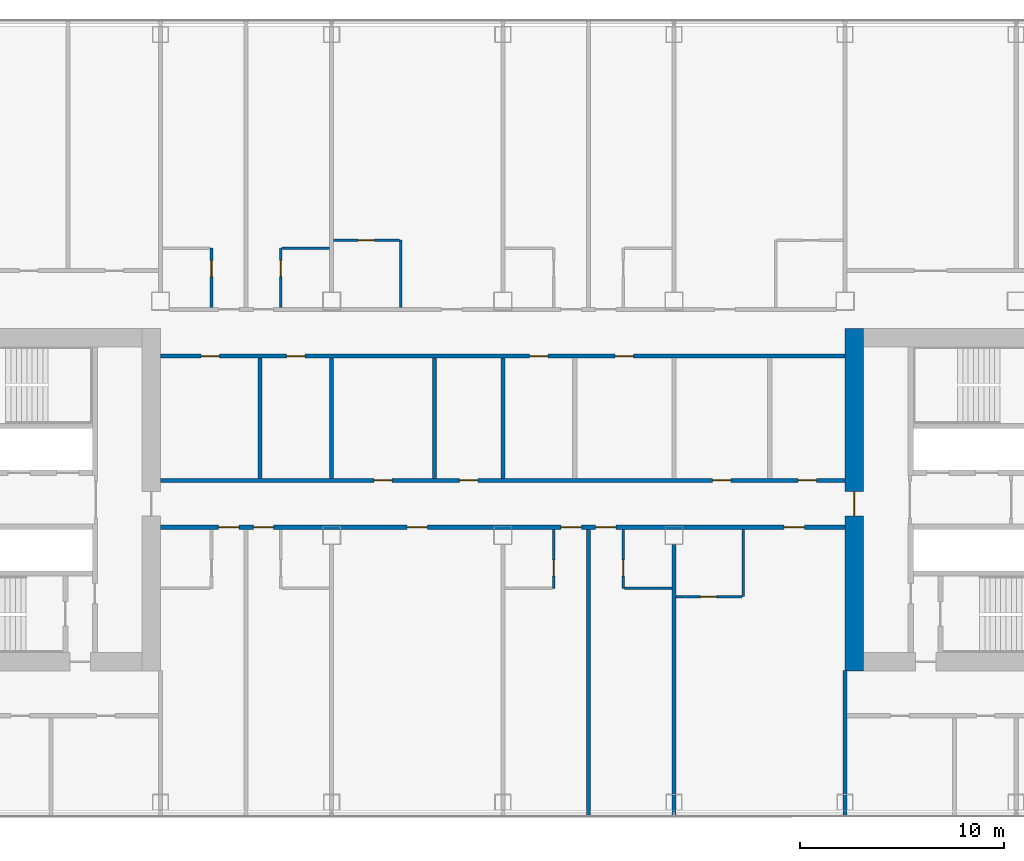
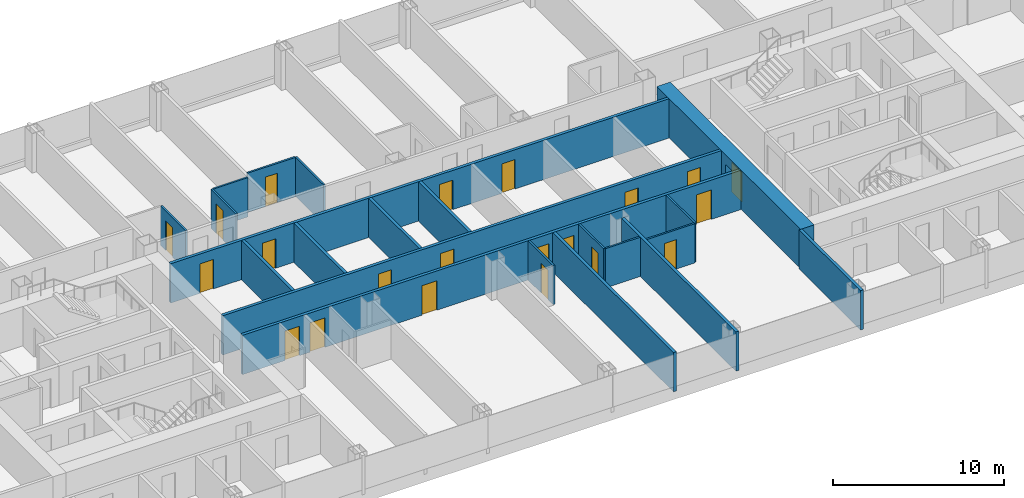
# One storey, part 17 of 29: 21 doors, 21 walls, 21 openings.
"""IFC4 building model written with IfcOpenShell, lengths in metres."""

from ifc_helpers import new_model, si_unit, direction, frame, frame_2d, origin, place, context, subcontext, project, spatial, rectangle, extrude, material, layer, layer_set, type_object, element, fill, save


model = new_model("IFC4")

# Units and contexts
model_context = context("Model", 3, precision=1e-05, world=origin(), true_north=direction((0.0, 1.0)))
body_context = subcontext(model_context, "Body", "Model", "MODEL_VIEW")
ifc_project = project(units=[si_unit("LENGTHUNIT", "METRE"), si_unit("AREAUNIT", "SQUARE_METRE"), si_unit("VOLUMEUNIT", "CUBIC_METRE"), si_unit("PLANEANGLEUNIT", "RADIAN"), si_unit("MASSUNIT", "GRAM", prefix="KILO")], contexts=[model_context])

# Site, building, storey
site_placement = place(None, origin())
site = spatial("IfcSite", under=ifc_project, at=site_placement, CompositionType="ELEMENT")
building_placement = place(site_placement, origin())
building = spatial("IfcBuilding", under=site, at=building_placement, Name="Hakoniwa Tower and Hamabe Station Hall", CompositionType="ELEMENT")
storey_placement = place(building_placement, frame((0.0, 0.0, 101.0)))
storey = spatial("IfcBuildingStorey", under=building, at=storey_placement, Name="L28", CompositionType="ELEMENT", Elevation=101.0)

# Wall, opening, door
ifc_material_1 = material(Name="Gypsum board partition", Category="gypsum")
ifc_layer_1 = layer(ifc_material_1, 0.125)
ifc_layer_set_1 = layer_set([ifc_layer_1], Name="Bathroom Partition 125")
wall_type_1 = type_object("IfcWallType", Name="Bathroom Partition 125", PredefinedType="PARTITIONING", material=ifc_layer_set_1)
wall_1_placement = place(storey_placement, frame((8.5, -4.75, 0.0), z_axis=(0.0, 0.0, 1.0), x_axis=(1.0, 0.0, 0.0)))
wall_1 = element("IfcWall", 1, at=wall_1_placement, inside=storey, type_object=wall_type_1, Name="GW-L28-007", PredefinedType="PARTITIONING", context=body_context, shape_type="SweptSolid", body=[
    extrude(rectangle(XDim=3.237548828125, YDim=0.125, at=frame_2d((1.61865234375, 0.0))), origin(), (0.0, 0.0, 1.0), 2.800048828125),
])
opening_1_placement = place(wall_1_placement, frame((1.199951171875, 0.0, 0.0)))
opening_1 = element("IfcOpeningElement", 2, at=opening_1_placement, cuts=wall_1, Name="Opening GD-G2D1-18", PredefinedType="OPENING", context=body_context, shape_type="SweptSolid", body=[
    extrude(rectangle(XDim=0.800048828125, YDim=2.10009765625, at=frame_2d((0.39990234375, 1.050048828125))), frame((0.0, 0.072509765625, 0.0), z_axis=(0.0, -1.0, 0.0), x_axis=(1.0, 0.0, 0.0)), (0.0, 0.0, 1.0), 0.14501953125),
])
ifc_material_2 = material(Name="Timber door leaf", Category="wood")
door_type_1 = type_object("IfcDoorType", Name="Bathroom Door 800", OperationType="SINGLE_SWING_LEFT", PredefinedType="DOOR", material=ifc_material_2)
door_1_placement = place(opening_1_placement, origin())
door_1 = element("IfcDoor", 3, at=door_1_placement, inside=storey, type_object=door_type_1, Name="Door GD-G2D1-18", OperationType="SINGLE_SWING_LEFT", OverallHeight=2.10009765625, OverallWidth=0.800048828125, PredefinedType="DOOR", context=body_context, shape_type="SweptSolid", body=[
    extrude(rectangle(XDim=0.800048828125, YDim=2.10009765625, at=frame_2d((0.39990234375, 1.050048828125))), frame((0.0, 0.02490234375, 0.0), z_axis=(0.0, -1.0, 0.0), x_axis=(1.0, 0.0, 0.0)), (0.0, 0.0, 1.0), 0.050048828125),
])
fill(opening_1, door_1)

# Walls
wall_2_placement = place(storey_placement, frame((5.96240234375, -4.35009765625, 0.0), z_axis=(0.0, 0.0, 1.0), x_axis=(1.0, 0.0, 0.0)))
element("IfcWall", 4, at=wall_2_placement, inside=storey, type_object=wall_type_1, Name="GW-L28-011", PredefinedType="PARTITIONING", context=body_context, shape_type="SweptSolid", body=[
    extrude(rectangle(XDim=2.337646484375, YDim=0.125, at=frame_2d((1.1689453125, 0.0))), origin(), (0.0, 0.0, 1.0), 2.800048828125),
])
wall_3_placement = place(storey_placement, frame((-10.83740234375, 12.35009765625, 0.0), z_axis=(0.0, 0.0, 1.0), x_axis=(1.0, 0.0, 0.0)))
element("IfcWall", 5, at=wall_3_placement, inside=storey, type_object=wall_type_1, Name="GW-L28-025", PredefinedType="PARTITIONING", context=body_context, shape_type="SweptSolid", body=[
    extrude(rectangle(XDim=2.33740234375, YDim=0.125, at=frame_2d((1.168701171875, 0.0))), origin(), (0.0, 0.0, 1.0), 2.800048828125),
])

# Wall, opening, door
wall_4_placement = place(storey_placement, frame((-8.300048828125, 12.75, 0.0), z_axis=(0.0, 0.0, 1.0), x_axis=(1.0, 0.0, 0.0)))
wall_4 = element("IfcWall", 6, at=wall_4_placement, inside=storey, type_object=wall_type_1, Name="GW-L28-028", PredefinedType="PARTITIONING", context=body_context, shape_type="SweptSolid", body=[
    extrude(rectangle(XDim=3.237548828125, YDim=0.125, at=frame_2d((1.61865234375, 0.0))), origin(), (0.0, 0.0, 1.0), 2.800048828125),
])
opening_2_placement = place(wall_4_placement, frame((1.199951171875, 0.0, 0.0)))
opening_2 = element("IfcOpeningElement", 7, at=opening_2_placement, cuts=wall_4, Name="Opening GD-G2D1-54", PredefinedType="OPENING", context=body_context, shape_type="SweptSolid", body=[
    extrude(rectangle(XDim=0.800048828125, YDim=2.10009765625, at=frame_2d((0.39990234375, 1.050048828125))), frame((0.0, 0.072509765625, 0.0), z_axis=(0.0, -1.0, 0.0), x_axis=(1.0, 0.0, 0.0)), (0.0, 0.0, 1.0), 0.14501953125),
])
door_2_placement = place(opening_2_placement, origin())
door_2 = element("IfcDoor", 8, at=door_2_placement, inside=storey, type_object=door_type_1, Name="Door GD-G2D1-54", OperationType="SINGLE_SWING_RIGHT", OverallHeight=2.10009765625, OverallWidth=0.800048828125, PredefinedType="DOOR", context=body_context, shape_type="SweptSolid", body=[
    extrude(rectangle(XDim=0.800048828125, YDim=2.10009765625, at=frame_2d((0.39990234375, 1.050048828125))), frame((0.0, 0.02490234375, 0.0), z_axis=(0.0, -1.0, 0.0), x_axis=(1.0, 0.0, 0.0)), (0.0, 0.0, 1.0), 0.050048828125),
])
fill(opening_2, door_2)

wall_5_placement = place(storey_placement, frame((-14.300048828125, 9.449951171875, 0.0), z_axis=(0.0, 0.0, 1.0), x_axis=(0.0, 1.0, 0.0)))
wall_5 = element("IfcWall", 9, at=wall_5_placement, inside=storey, type_object=wall_type_1, Name="GW-L28-047", PredefinedType="PARTITIONING", context=body_context, shape_type="SweptSolid", body=[
    extrude(rectangle(XDim=2.900146484375, YDim=0.125, at=frame_2d((1.4501953125, 0.0))), origin(), (0.0, 0.0, 1.0), 2.800048828125),
])
opening_3_placement = place(wall_5_placement, frame((1.5, 0.0, 0.0)))
opening_3 = element("IfcOpeningElement", 10, at=opening_3_placement, cuts=wall_5, Name="Opening GD-G2D1-57", PredefinedType="OPENING", context=body_context, shape_type="SweptSolid", body=[
    extrude(rectangle(XDim=0.800048828125, YDim=2.10009765625, at=frame_2d((0.39990234375, 1.050048828125))), frame((0.0, 0.072509765625, 0.0), z_axis=(0.0, -1.0, 0.0), x_axis=(1.0, 0.0, 0.0)), (0.0, 0.0, 1.0), 0.14501953125),
])
door_3_placement = place(opening_3_placement, origin())
door_3 = element("IfcDoor", 11, at=door_3_placement, inside=storey, type_object=door_type_1, Name="Door GD-G2D1-57", OperationType="SINGLE_SWING_LEFT", OverallHeight=2.10009765625, OverallWidth=0.800048828125, PredefinedType="DOOR", context=body_context, shape_type="SweptSolid", body=[
    extrude(rectangle(XDim=0.800048828125, YDim=2.10009765625, at=frame_2d((0.39990234375, 1.050048828125))), frame((0.0, 0.02490234375, 0.0), z_axis=(0.0, -1.0, 0.0), x_axis=(1.0, 0.0, 0.0)), (0.0, 0.0, 1.0), 0.050048828125),
])
fill(opening_3, door_3)

wall_6_placement = place(storey_placement, frame((-10.89990234375, 9.449951171875, 0.0), z_axis=(0.0, 0.0, 1.0), x_axis=(0.0, 1.0, 0.0)))
wall_6 = element("IfcWall", 12, at=wall_6_placement, inside=storey, type_object=wall_type_1, Name="GW-L28-052", PredefinedType="PARTITIONING", context=body_context, shape_type="SweptSolid", body=[
    extrude(rectangle(XDim=2.900146484375, YDim=0.125, at=frame_2d((1.4501953125, 0.0))), origin(), (0.0, 0.0, 1.0), 2.800048828125),
])
opening_4_placement = place(wall_6_placement, frame((1.5, 0.0, 0.0)))
opening_4 = element("IfcOpeningElement", 13, at=opening_4_placement, cuts=wall_6, Name="Opening GD-G2D1-59", PredefinedType="OPENING", context=body_context, shape_type="SweptSolid", body=[
    extrude(rectangle(XDim=0.800048828125, YDim=2.10009765625, at=frame_2d((0.39990234375, 1.050048828125))), frame((0.0, 0.072509765625, 0.0), z_axis=(0.0, -1.0, 0.0), x_axis=(1.0, 0.0, 0.0)), (0.0, 0.0, 1.0), 0.14501953125),
])
door_4_placement = place(opening_4_placement, origin())
door_4 = element("IfcDoor", 14, at=door_4_placement, inside=storey, type_object=door_type_1, Name="Door GD-G2D1-59", OperationType="SINGLE_SWING_RIGHT", OverallHeight=2.10009765625, OverallWidth=0.800048828125, PredefinedType="DOOR", context=body_context, shape_type="SweptSolid", body=[
    extrude(rectangle(XDim=0.800048828125, YDim=2.10009765625, at=frame_2d((0.39990234375, 1.050048828125))), frame((0.0, 0.02490234375, 0.0), z_axis=(0.0, -1.0, 0.0), x_axis=(1.0, 0.0, 0.0)), (0.0, 0.0, 1.0), 0.050048828125),
])
fill(opening_4, door_4)

# Wall
wall_7_placement = place(storey_placement, frame((-5.0, 9.449951171875, 0.0), z_axis=(0.0, 0.0, 1.0), x_axis=(0.0, 1.0, 0.0)))
element("IfcWall", 15, at=wall_7_placement, inside=storey, type_object=wall_type_1, Name="GW-L28-056", PredefinedType="PARTITIONING", context=body_context, shape_type="SweptSolid", body=[
    extrude(rectangle(XDim=3.300048828125, YDim=0.125, at=frame_2d((1.64990234375, 0.0))), origin(), (0.0, 0.0, 1.0), 2.800048828125),
])

# Wall, opening, door
wall_8_placement = place(storey_placement, frame((2.5, -4.35009765625, 0.0), z_axis=(0.0, 0.0, 1.0), x_axis=(0.0, 1.0, 0.0)))
wall_8 = element("IfcWall", 16, at=wall_8_placement, inside=storey, type_object=wall_type_1, Name="GW-L28-061", PredefinedType="PARTITIONING", context=body_context, shape_type="SweptSolid", body=[
    extrude(rectangle(XDim=2.900146484375, YDim=0.125, at=frame_2d((1.4501953125, 0.0))), origin(), (0.0, 0.0, 1.0), 2.800048828125),
])
opening_5_placement = place(wall_8_placement, frame((0.60009765625, 0.0, 0.0)))
opening_5 = element("IfcOpeningElement", 17, at=opening_5_placement, cuts=wall_8, Name="Opening GD-G2D1-60", PredefinedType="OPENING", context=body_context, shape_type="SweptSolid", body=[
    extrude(rectangle(XDim=0.800048828125, YDim=2.10009765625, at=frame_2d((0.39990234375, 1.050048828125))), frame((0.0, 0.072509765625, 0.0), z_axis=(0.0, -1.0, 0.0), x_axis=(1.0, 0.0, 0.0)), (0.0, 0.0, 1.0), 0.14501953125),
])
door_5_placement = place(opening_5_placement, origin())
door_5 = element("IfcDoor", 18, at=door_5_placement, inside=storey, type_object=door_type_1, Name="Door GD-G2D1-60", OperationType="SINGLE_SWING_RIGHT", OverallHeight=2.10009765625, OverallWidth=0.800048828125, PredefinedType="DOOR", context=body_context, shape_type="SweptSolid", body=[
    extrude(rectangle(XDim=0.800048828125, YDim=2.10009765625, at=frame_2d((0.39990234375, 1.050048828125))), frame((0.0, 0.02490234375, 0.0), z_axis=(0.0, -1.0, 0.0), x_axis=(1.0, 0.0, 0.0)), (0.0, 0.0, 1.0), 0.050048828125),
])
fill(opening_5, door_5)

wall_9_placement = place(storey_placement, frame((5.89990234375, -4.35009765625, 0.0), z_axis=(0.0, 0.0, 1.0), x_axis=(0.0, 1.0, 0.0)))
wall_9 = element("IfcWall", 19, at=wall_9_placement, inside=storey, type_object=wall_type_1, Name="GW-L28-066", PredefinedType="PARTITIONING", context=body_context, shape_type="SweptSolid", body=[
    extrude(rectangle(XDim=2.900146484375, YDim=0.125, at=frame_2d((1.4501953125, 0.0))), origin(), (0.0, 0.0, 1.0), 2.800048828125),
])
opening_6_placement = place(wall_9_placement, frame((0.60009765625, 0.0, 0.0)))
opening_6 = element("IfcOpeningElement", 20, at=opening_6_placement, cuts=wall_9, Name="Opening GD-G2D1-62", PredefinedType="OPENING", context=body_context, shape_type="SweptSolid", body=[
    extrude(rectangle(XDim=0.800048828125, YDim=2.10009765625, at=frame_2d((0.39990234375, 1.050048828125))), frame((0.0, 0.072509765625, 0.0), z_axis=(0.0, -1.0, 0.0), x_axis=(1.0, 0.0, 0.0)), (0.0, 0.0, 1.0), 0.14501953125),
])
door_6_placement = place(opening_6_placement, origin())
door_6 = element("IfcDoor", 21, at=door_6_placement, inside=storey, type_object=door_type_1, Name="Door GD-G2D1-62", OperationType="SINGLE_SWING_LEFT", OverallHeight=2.10009765625, OverallWidth=0.800048828125, PredefinedType="DOOR", context=body_context, shape_type="SweptSolid", body=[
    extrude(rectangle(XDim=0.800048828125, YDim=2.10009765625, at=frame_2d((0.39990234375, 1.050048828125))), frame((0.0, 0.02490234375, 0.0), z_axis=(0.0, -1.0, 0.0), x_axis=(1.0, 0.0, 0.0)), (0.0, 0.0, 1.0), 0.050048828125),
])
fill(opening_6, door_6)

# Wall
wall_10_placement = place(storey_placement, frame((11.800048828125, -4.75, 0.0), z_axis=(0.0, 0.0, 1.0), x_axis=(0.0, 1.0, 0.0)))
element("IfcWall", 22, at=wall_10_placement, inside=storey, type_object=wall_type_1, Name="GW-L28-071", PredefinedType="PARTITIONING", context=body_context, shape_type="SweptSolid", body=[
    extrude(rectangle(XDim=3.300048828125, YDim=0.125, at=frame_2d((1.64990234375, 0.0))), origin(), (0.0, 0.0, 1.0), 2.800048828125),
])

# Wall, opening, door
ifc_material_3 = material(Name="Concrete C72", Category="concrete")
ifc_layer_2 = layer(ifc_material_3, 0.89990234375)
ifc_layer_set_2 = layer_set([ifc_layer_2], Name="CORE WALL 900 C72")
wall_type_2 = type_object("IfcWallType", Name="CORE WALL 900 C72", PredefinedType="SHEAR", material=ifc_layer_set_2)
wall_11_placement = place(storey_placement, frame((17.25, -8.39990234375, 0.0), z_axis=(0.0, 0.0, 1.0), x_axis=(0.0, 1.0, 0.0)))
wall_11 = element("IfcWall", 23, at=wall_11_placement, inside=storey, type_object=wall_type_2, Name="Core wall INNER east", PredefinedType="SHEAR", context=body_context, shape_type="SweptSolid", body=[
    extrude(rectangle(XDim=16.7998046875, YDim=0.89990234375, at=frame_2d((8.39990234375, 0.0))), origin(), (0.0, 0.0, 1.0), 2.800048828125),
])
opening_7_placement = place(wall_11_placement, frame((7.60009765625, 0.0, 0.0)))
opening_7 = element("IfcOpeningElement", 24, at=opening_7_placement, cuts=wall_11, Name="Opening CD-E-IN1-12", PredefinedType="OPENING", context=body_context, shape_type="SweptSolid", body=[
    extrude(rectangle(XDim=1.199951171875, YDim=2.10009765625, at=frame_2d((0.60009765625, 1.050048828125))), frame((0.0, 0.4599609375, 0.0), z_axis=(0.0, -1.0, 0.0), x_axis=(1.0, 0.0, 0.0)), (0.0, 0.0, 1.0), 0.919921875),
])
ifc_material_4 = material(Name="Steel fire door", Category="steel")
door_type_2 = type_object("IfcDoorType", Name="CORE DOOR 1200 FD60", OperationType="DOUBLE_DOOR_SINGLE_SWING", PredefinedType="DOOR", material=ifc_material_4)
door_7_placement = place(opening_7_placement, origin())
door_7 = element("IfcDoor", 25, at=door_7_placement, inside=storey, type_object=door_type_2, Name="Lift lobby door", OperationType="DOUBLE_DOOR_SINGLE_SWING", OverallHeight=2.10009765625, OverallWidth=1.199951171875, PredefinedType="DOOR", context=body_context, shape_type="SweptSolid", body=[
    extrude(rectangle(XDim=1.199951171875, YDim=2.10009765625, at=frame_2d((0.60009765625, 1.050048828125))), frame((0.0, 0.02490234375, 0.0), z_axis=(0.0, -1.0, 0.0), x_axis=(1.0, 0.0, 0.0)), (0.0, 0.0, 1.0), 0.050048828125),
])
fill(opening_7, door_7)

# Wall, openings, doors
ifc_material_5 = material(Name="Fire-rated gypsum board partition", Category="gypsum")
ifc_layer_3 = layer(ifc_material_5, 0.199951171875)
ifc_layer_set_3 = layer_set([ifc_layer_3], Name="Corridor Wall 200")
wall_type_3 = type_object("IfcWallType", Name="Corridor Wall 200", PredefinedType="PARTITIONING", material=ifc_layer_set_3)
wall_12_placement = place(storey_placement, frame((-16.800048828125, -1.35009765625, 0.0), z_axis=(0.0, 0.0, 1.0), x_axis=(1.0, 0.0, 0.0)))
wall_12 = element("IfcWall", 26, at=wall_12_placement, inside=storey, type_object=wall_type_3, Name="GW-L28-012", PredefinedType="PARTITIONING", context=body_context, shape_type="SweptSolid", body=[
    extrude(rectangle(XDim=33.60009765625, YDim=0.199951171875, at=frame_2d((16.800048828125, 0.0))), origin(), (0.0, 0.0, 1.0), 2.800048828125),
])
opening_8_placement = place(wall_12_placement, frame((2.85009765625, 0.0, 0.0)))
opening_8 = element("IfcOpeningElement", 27, at=opening_8_placement, cuts=wall_12, Name="Opening GD-G2D1-19", PredefinedType="OPENING", context=body_context, shape_type="SweptSolid", body=[
    extrude(rectangle(XDim=1.0, YDim=2.10009765625, at=frame_2d((0.5, 1.050048828125))), frame((0.0, 0.10986328125, 0.0), z_axis=(0.0, -1.0, 0.0), x_axis=(1.0, 0.0, 0.0)), (0.0, 0.0, 1.0), 0.219970703125),
])
opening_9_placement = place(wall_12_placement, frame((4.550048828125, 0.0, 0.0)))
opening_9 = element("IfcOpeningElement", 28, at=opening_9_placement, cuts=wall_12, Name="Opening GD-G2D1-20", PredefinedType="OPENING", context=body_context, shape_type="SweptSolid", body=[
    extrude(rectangle(XDim=1.0, YDim=2.10009765625, at=frame_2d((0.5, 1.050048828125))), frame((0.0, 0.10986328125, 0.0), z_axis=(0.0, -1.0, 0.0), x_axis=(1.0, 0.0, 0.0)), (0.0, 0.0, 1.0), 0.219970703125),
])
opening_10_placement = place(wall_12_placement, frame((12.10009765625, 0.0, 0.0)))
opening_10 = element("IfcOpeningElement", 29, at=opening_10_placement, cuts=wall_12, Name="Opening GD-G2D1-21", PredefinedType="OPENING", context=body_context, shape_type="SweptSolid", body=[
    extrude(rectangle(XDim=1.0, YDim=2.10009765625, at=frame_2d((0.5, 1.050048828125))), frame((0.0, 0.10986328125, 0.0), z_axis=(0.0, -1.0, 0.0), x_axis=(1.0, 0.0, 0.0)), (0.0, 0.0, 1.0), 0.219970703125),
])
opening_11_placement = place(wall_12_placement, frame((19.64990234375, 0.0, 0.0)))
opening_11 = element("IfcOpeningElement", 30, at=opening_11_placement, cuts=wall_12, Name="Opening GD-G2D1-22", PredefinedType="OPENING", context=body_context, shape_type="SweptSolid", body=[
    extrude(rectangle(XDim=1.0, YDim=2.10009765625, at=frame_2d((0.5, 1.050048828125))), frame((0.0, 0.10986328125, 0.0), z_axis=(0.0, -1.0, 0.0), x_axis=(1.0, 0.0, 0.0)), (0.0, 0.0, 1.0), 0.219970703125),
])
opening_12_placement = place(wall_12_placement, frame((21.35009765625, 0.0, 0.0)))
opening_12 = element("IfcOpeningElement", 31, at=opening_12_placement, cuts=wall_12, Name="Opening GD-G2D1-23", PredefinedType="OPENING", context=body_context, shape_type="SweptSolid", body=[
    extrude(rectangle(XDim=1.0, YDim=2.10009765625, at=frame_2d((0.5, 1.050048828125))), frame((0.0, 0.10986328125, 0.0), z_axis=(0.0, -1.0, 0.0), x_axis=(1.0, 0.0, 0.0)), (0.0, 0.0, 1.0), 0.219970703125),
])
opening_13_placement = place(wall_12_placement, frame((30.60009765625, 0.0, 0.0)))
opening_13 = element("IfcOpeningElement", 32, at=opening_13_placement, cuts=wall_12, Name="Opening GD-G2D1-24", PredefinedType="OPENING", context=body_context, shape_type="SweptSolid", body=[
    extrude(rectangle(XDim=1.0, YDim=2.10009765625, at=frame_2d((0.5, 1.050048828125))), frame((0.0, 0.10986328125, 0.0), z_axis=(0.0, -1.0, 0.0), x_axis=(1.0, 0.0, 0.0)), (0.0, 0.0, 1.0), 0.219970703125),
])
ifc_material_6 = material(Name="Timber door leaf", Category="wood")
door_type_3 = type_object("IfcDoorType", Name="Guest Entrance Door 1000", OperationType="SINGLE_SWING_LEFT", PredefinedType="DOOR", material=ifc_material_6)
door_8_placement = place(opening_8_placement, origin())
door_8 = element("IfcDoor", 33, at=door_8_placement, inside=storey, type_object=door_type_3, Name="Door GD-G2D1-19", OperationType="SINGLE_SWING_LEFT", OverallHeight=2.10009765625, OverallWidth=1.0, PredefinedType="DOOR", context=body_context, shape_type="SweptSolid", body=[
    extrude(rectangle(XDim=1.0, YDim=2.10009765625, at=frame_2d((0.5, 1.050048828125))), frame((0.0, 0.02490234375, 0.0), z_axis=(0.0, -1.0, 0.0), x_axis=(1.0, 0.0, 0.0)), (0.0, 0.0, 1.0), 0.050048828125),
])
fill(opening_8, door_8)
door_9_placement = place(opening_9_placement, origin())
door_9 = element("IfcDoor", 34, at=door_9_placement, inside=storey, type_object=door_type_3, Name="Door GD-G2D1-20", OperationType="SINGLE_SWING_LEFT", OverallHeight=2.10009765625, OverallWidth=1.0, PredefinedType="DOOR", context=body_context, shape_type="SweptSolid", body=[
    extrude(rectangle(XDim=1.0, YDim=2.10009765625, at=frame_2d((0.5, 1.050048828125))), frame((0.0, 0.02490234375, 0.0), z_axis=(0.0, -1.0, 0.0), x_axis=(1.0, 0.0, 0.0)), (0.0, 0.0, 1.0), 0.050048828125),
])
fill(opening_9, door_9)
door_10_placement = place(opening_10_placement, origin())
door_10 = element("IfcDoor", 35, at=door_10_placement, inside=storey, type_object=door_type_3, Name="Door GD-G2D1-21", OperationType="SINGLE_SWING_RIGHT", OverallHeight=2.10009765625, OverallWidth=1.0, PredefinedType="DOOR", context=body_context, shape_type="SweptSolid", body=[
    extrude(rectangle(XDim=1.0, YDim=2.10009765625, at=frame_2d((0.5, 1.050048828125))), frame((0.0, 0.02490234375, 0.0), z_axis=(0.0, -1.0, 0.0), x_axis=(1.0, 0.0, 0.0)), (0.0, 0.0, 1.0), 0.050048828125),
])
fill(opening_10, door_10)
door_11_placement = place(opening_11_placement, origin())
door_11 = element("IfcDoor", 36, at=door_11_placement, inside=storey, type_object=door_type_3, Name="Door GD-G2D1-22", OperationType="SINGLE_SWING_LEFT", OverallHeight=2.10009765625, OverallWidth=1.0, PredefinedType="DOOR", context=body_context, shape_type="SweptSolid", body=[
    extrude(rectangle(XDim=1.0, YDim=2.10009765625, at=frame_2d((0.5, 1.050048828125))), frame((0.0, 0.02490234375, 0.0), z_axis=(0.0, -1.0, 0.0), x_axis=(1.0, 0.0, 0.0)), (0.0, 0.0, 1.0), 0.050048828125),
])
fill(opening_11, door_11)
door_12_placement = place(opening_12_placement, origin())
door_12 = element("IfcDoor", 37, at=door_12_placement, inside=storey, type_object=door_type_3, Name="Door GD-G2D1-23", OperationType="SINGLE_SWING_RIGHT", OverallHeight=2.10009765625, OverallWidth=1.0, PredefinedType="DOOR", context=body_context, shape_type="SweptSolid", body=[
    extrude(rectangle(XDim=1.0, YDim=2.10009765625, at=frame_2d((0.5, 1.050048828125))), frame((0.0, 0.02490234375, 0.0), z_axis=(0.0, -1.0, 0.0), x_axis=(1.0, 0.0, 0.0)), (0.0, 0.0, 1.0), 0.050048828125),
])
fill(opening_12, door_12)
door_13_placement = place(opening_13_placement, origin())
door_13 = element("IfcDoor", 38, at=door_13_placement, inside=storey, type_object=door_type_3, Name="Door GD-G2D1-24", OperationType="SINGLE_SWING_LEFT", OverallHeight=2.10009765625, OverallWidth=1.0, PredefinedType="DOOR", context=body_context, shape_type="SweptSolid", body=[
    extrude(rectangle(XDim=1.0, YDim=2.10009765625, at=frame_2d((0.5, 1.050048828125))), frame((0.0, 0.02490234375, 0.0), z_axis=(0.0, -1.0, 0.0), x_axis=(1.0, 0.0, 0.0)), (0.0, 0.0, 1.0), 0.050048828125),
])
fill(opening_13, door_13)

wall_13_placement = place(storey_placement, frame((-16.800048828125, 0.949951171875, 0.0), z_axis=(0.0, 0.0, 1.0), x_axis=(1.0, 0.0, 0.0)))
wall_13 = element("IfcWall", 39, at=wall_13_placement, inside=storey, type_object=wall_type_3, Name="GW-L28-015", PredefinedType="PARTITIONING", context=body_context, shape_type="SweptSolid", body=[
    extrude(rectangle(XDim=33.60009765625, YDim=0.199951171875, at=frame_2d((16.800048828125, 0.0))), origin(), (0.0, 0.0, 1.0), 2.800048828125),
])
opening_14_placement = place(wall_13_placement, frame((10.469970703125, 0.0, 0.0)))
opening_14 = element("IfcOpeningElement", 40, at=opening_14_placement, cuts=wall_13, Name="Opening GD-G2D1-25", PredefinedType="OPENING", context=body_context, shape_type="SweptSolid", body=[
    extrude(rectangle(XDim=0.89990234375, YDim=2.10009765625, at=frame_2d((0.449951171875, 1.050048828125))), frame((0.0, 0.10986328125, 0.0), z_axis=(0.0, -1.0, 0.0), x_axis=(1.0, 0.0, 0.0)), (0.0, 0.0, 1.0), 0.219970703125),
])
opening_15_placement = place(wall_13_placement, frame((14.669921875, 0.0, 0.0)))
opening_15 = element("IfcOpeningElement", 41, at=opening_15_placement, cuts=wall_13, Name="Opening GD-G2D1-26", PredefinedType="OPENING", context=body_context, shape_type="SweptSolid", body=[
    extrude(rectangle(XDim=0.89990234375, YDim=2.10009765625, at=frame_2d((0.449951171875, 1.050048828125))), frame((0.0, 0.10986328125, 0.0), z_axis=(0.0, -1.0, 0.0), x_axis=(1.0, 0.0, 0.0)), (0.0, 0.0, 1.0), 0.219970703125),
])
opening_16_placement = place(wall_13_placement, frame((27.10009765625, 0.0, 0.0)))
opening_16 = element("IfcOpeningElement", 42, at=opening_16_placement, cuts=wall_13, Name="Opening GD-G2D1-27", PredefinedType="OPENING", context=body_context, shape_type="SweptSolid", body=[
    extrude(rectangle(XDim=0.89990234375, YDim=2.10009765625, at=frame_2d((0.449951171875, 1.050048828125))), frame((0.0, 0.10986328125, 0.0), z_axis=(0.0, -1.0, 0.0), x_axis=(1.0, 0.0, 0.0)), (0.0, 0.0, 1.0), 0.219970703125),
])
opening_17_placement = place(wall_13_placement, frame((31.300048828125, 0.0, 0.0)))
opening_17 = element("IfcOpeningElement", 43, at=opening_17_placement, cuts=wall_13, Name="Opening GD-G2D1-28", PredefinedType="OPENING", context=body_context, shape_type="SweptSolid", body=[
    extrude(rectangle(XDim=0.89990234375, YDim=2.10009765625, at=frame_2d((0.449951171875, 1.050048828125))), frame((0.0, 0.10986328125, 0.0), z_axis=(0.0, -1.0, 0.0), x_axis=(1.0, 0.0, 0.0)), (0.0, 0.0, 1.0), 0.219970703125),
])
ifc_material_7 = material(Name="Timber door leaf", Category="wood")
door_type_4 = type_object("IfcDoorType", Name="Service Door 900", OperationType="SINGLE_SWING_LEFT", PredefinedType="DOOR", material=ifc_material_7)
door_14_placement = place(opening_14_placement, origin())
door_14 = element("IfcDoor", 44, at=door_14_placement, inside=storey, type_object=door_type_4, Name="Door GD-G2D1-25", OperationType="SINGLE_SWING_LEFT", OverallHeight=2.10009765625, OverallWidth=0.89990234375, PredefinedType="DOOR", context=body_context, shape_type="SweptSolid", body=[
    extrude(rectangle(XDim=0.89990234375, YDim=2.10009765625, at=frame_2d((0.449951171875, 1.050048828125))), frame((0.0, 0.02490234375, 0.0), z_axis=(0.0, -1.0, 0.0), x_axis=(1.0, 0.0, 0.0)), (0.0, 0.0, 1.0), 0.050048828125),
])
fill(opening_14, door_14)
door_15_placement = place(opening_15_placement, origin())
door_15 = element("IfcDoor", 45, at=door_15_placement, inside=storey, type_object=door_type_4, Name="Door GD-G2D1-26", OperationType="SINGLE_SWING_RIGHT", OverallHeight=2.10009765625, OverallWidth=0.89990234375, PredefinedType="DOOR", context=body_context, shape_type="SweptSolid", body=[
    extrude(rectangle(XDim=0.89990234375, YDim=2.10009765625, at=frame_2d((0.449951171875, 1.050048828125))), frame((0.0, 0.02490234375, 0.0), z_axis=(0.0, -1.0, 0.0), x_axis=(1.0, 0.0, 0.0)), (0.0, 0.0, 1.0), 0.050048828125),
])
fill(opening_15, door_15)
door_16_placement = place(opening_16_placement, origin())
door_16 = element("IfcDoor", 46, at=door_16_placement, inside=storey, type_object=door_type_4, Name="Door GD-G2D1-27", OperationType="SINGLE_SWING_LEFT", OverallHeight=2.10009765625, OverallWidth=0.89990234375, PredefinedType="DOOR", context=body_context, shape_type="SweptSolid", body=[
    extrude(rectangle(XDim=0.89990234375, YDim=2.10009765625, at=frame_2d((0.449951171875, 1.050048828125))), frame((0.0, 0.02490234375, 0.0), z_axis=(0.0, -1.0, 0.0), x_axis=(1.0, 0.0, 0.0)), (0.0, 0.0, 1.0), 0.050048828125),
])
fill(opening_16, door_16)
door_17_placement = place(opening_17_placement, origin())
door_17 = element("IfcDoor", 47, at=door_17_placement, inside=storey, type_object=door_type_4, Name="Door GD-G2D1-28", OperationType="SINGLE_SWING_RIGHT", OverallHeight=2.10009765625, OverallWidth=0.89990234375, PredefinedType="DOOR", context=body_context, shape_type="SweptSolid", body=[
    extrude(rectangle(XDim=0.89990234375, YDim=2.10009765625, at=frame_2d((0.449951171875, 1.050048828125))), frame((0.0, 0.02490234375, 0.0), z_axis=(0.0, -1.0, 0.0), x_axis=(1.0, 0.0, 0.0)), (0.0, 0.0, 1.0), 0.050048828125),
])
fill(opening_17, door_17)

wall_14_placement = place(storey_placement, frame((-16.800048828125, 7.050048828125, 0.0), z_axis=(0.0, 0.0, 1.0), x_axis=(1.0, 0.0, 0.0)))
wall_14 = element("IfcWall", 48, at=wall_14_placement, inside=storey, type_object=wall_type_3, Name="GW-L28-018", PredefinedType="PARTITIONING", context=body_context, shape_type="SweptSolid", body=[
    extrude(rectangle(XDim=33.60009765625, YDim=0.199951171875, at=frame_2d((16.800048828125, 0.0))), origin(), (0.0, 0.0, 1.0), 2.800048828125),
])
opening_18_placement = place(wall_14_placement, frame((1.985107421875, 0.0, 0.0)))
opening_18 = element("IfcOpeningElement", 49, at=opening_18_placement, cuts=wall_14, Name="Opening GD-G2D1-31", PredefinedType="OPENING", context=body_context, shape_type="SweptSolid", body=[
    extrude(rectangle(XDim=0.89990234375, YDim=2.10009765625, at=frame_2d((0.449951171875, 1.050048828125))), frame((0.0, 0.10986328125, 0.0), z_axis=(0.0, -1.0, 0.0), x_axis=(1.0, 0.0, 0.0)), (0.0, 0.0, 1.0), 0.219970703125),
])
opening_19_placement = place(wall_14_placement, frame((6.18505859375, 0.0, 0.0)))
opening_19 = element("IfcOpeningElement", 50, at=opening_19_placement, cuts=wall_14, Name="Opening GD-G2D1-32", PredefinedType="OPENING", context=body_context, shape_type="SweptSolid", body=[
    extrude(rectangle(XDim=0.89990234375, YDim=2.10009765625, at=frame_2d((0.449951171875, 1.050048828125))), frame((0.0, 0.10986328125, 0.0), z_axis=(0.0, -1.0, 0.0), x_axis=(1.0, 0.0, 0.0)), (0.0, 0.0, 1.0), 0.219970703125),
])
opening_20_placement = place(wall_14_placement, frame((18.114990234375, 0.0, 0.0)))
opening_20 = element("IfcOpeningElement", 51, at=opening_20_placement, cuts=wall_14, Name="Opening GD-G2D1-33", PredefinedType="OPENING", context=body_context, shape_type="SweptSolid", body=[
    extrude(rectangle(XDim=0.89990234375, YDim=2.10009765625, at=frame_2d((0.449951171875, 1.050048828125))), frame((0.0, 0.10986328125, 0.0), z_axis=(0.0, -1.0, 0.0), x_axis=(1.0, 0.0, 0.0)), (0.0, 0.0, 1.0), 0.219970703125),
])
opening_21_placement = place(wall_14_placement, frame((22.31494140625, 0.0, 0.0)))
opening_21 = element("IfcOpeningElement", 52, at=opening_21_placement, cuts=wall_14, Name="Opening GD-G2D1-34", PredefinedType="OPENING", context=body_context, shape_type="SweptSolid", body=[
    extrude(rectangle(XDim=0.89990234375, YDim=2.10009765625, at=frame_2d((0.449951171875, 1.050048828125))), frame((0.0, 0.10986328125, 0.0), z_axis=(0.0, -1.0, 0.0), x_axis=(1.0, 0.0, 0.0)), (0.0, 0.0, 1.0), 0.219970703125),
])
door_18_placement = place(opening_18_placement, origin())
door_18 = element("IfcDoor", 53, at=door_18_placement, inside=storey, type_object=door_type_4, Name="Door GD-G2D1-31", OperationType="SINGLE_SWING_LEFT", OverallHeight=2.10009765625, OverallWidth=0.89990234375, PredefinedType="DOOR", context=body_context, shape_type="SweptSolid", body=[
    extrude(rectangle(XDim=0.89990234375, YDim=2.10009765625, at=frame_2d((0.449951171875, 1.050048828125))), frame((0.0, 0.02490234375, 0.0), z_axis=(0.0, -1.0, 0.0), x_axis=(1.0, 0.0, 0.0)), (0.0, 0.0, 1.0), 0.050048828125),
])
fill(opening_18, door_18)
door_19_placement = place(opening_19_placement, origin())
door_19 = element("IfcDoor", 54, at=door_19_placement, inside=storey, type_object=door_type_4, Name="Door GD-G2D1-32", OperationType="SINGLE_SWING_RIGHT", OverallHeight=2.10009765625, OverallWidth=0.89990234375, PredefinedType="DOOR", context=body_context, shape_type="SweptSolid", body=[
    extrude(rectangle(XDim=0.89990234375, YDim=2.10009765625, at=frame_2d((0.449951171875, 1.050048828125))), frame((0.0, 0.02490234375, 0.0), z_axis=(0.0, -1.0, 0.0), x_axis=(1.0, 0.0, 0.0)), (0.0, 0.0, 1.0), 0.050048828125),
])
fill(opening_19, door_19)
door_20_placement = place(opening_20_placement, origin())
door_20 = element("IfcDoor", 55, at=door_20_placement, inside=storey, type_object=door_type_4, Name="Door GD-G2D1-33", OperationType="SINGLE_SWING_LEFT", OverallHeight=2.10009765625, OverallWidth=0.89990234375, PredefinedType="DOOR", context=body_context, shape_type="SweptSolid", body=[
    extrude(rectangle(XDim=0.89990234375, YDim=2.10009765625, at=frame_2d((0.449951171875, 1.050048828125))), frame((0.0, 0.02490234375, 0.0), z_axis=(0.0, -1.0, 0.0), x_axis=(1.0, 0.0, 0.0)), (0.0, 0.0, 1.0), 0.050048828125),
])
fill(opening_20, door_20)
door_21_placement = place(opening_21_placement, origin())
door_21 = element("IfcDoor", 56, at=door_21_placement, inside=storey, type_object=door_type_4, Name="Door GD-G2D1-34", OperationType="SINGLE_SWING_RIGHT", OverallHeight=2.10009765625, OverallWidth=0.89990234375, PredefinedType="DOOR", context=body_context, shape_type="SweptSolid", body=[
    extrude(rectangle(XDim=0.89990234375, YDim=2.10009765625, at=frame_2d((0.449951171875, 1.050048828125))), frame((0.0, 0.02490234375, 0.0), z_axis=(0.0, -1.0, 0.0), x_axis=(1.0, 0.0, 0.0)), (0.0, 0.0, 1.0), 0.050048828125),
])
fill(opening_21, door_21)

# Walls
ifc_material_8 = material(Name="Fire-rated gypsum board partition", Category="gypsum")
ifc_layer_4 = layer(ifc_material_8, 0.199951171875)
ifc_layer_set_4 = layer_set([ifc_layer_4], Name="Party Wall 200")
wall_type_4 = type_object("IfcWallType", Name="Party Wall 200", PredefinedType="PARTITIONING", material=ifc_layer_set_4)
for number, where, z_axis, x_axis, name in (
    (57, (-11.929931640625, 1.050048828125, 0.0), (0.0, 0.0, 1.0), (0.0, 1.0, 0.0), "GW-L28-050"),
    (58, (-8.39990234375, 1.050048828125, 0.0), (0.0, 0.0, 1.0), (0.0, 1.0, 0.0), "GW-L28-054"),
    (59, (-3.360107421875, 1.050048828125, 0.0), (0.0, 0.0, 1.0), (0.0, 1.0, 0.0), "GW-L28-057"),
    (60, (0.0, 1.050048828125, 0.0), (0.0, 0.0, 1.0), (0.0, 1.0, 0.0), "GW-L28-059"),
):
    element("IfcWall", number, at=place(storey_placement, frame(where, z_axis=z_axis, x_axis=x_axis)), inside=storey, type_object=wall_type_4, Name=name, PredefinedType="PARTITIONING", context=body_context, shape_type="SweptSolid", body=[
        extrude(rectangle(XDim=5.89990234375, YDim=0.199951171875, at=frame_2d((2.949951171875, 0.0))), origin(), (0.0, 0.0, 1.0), 2.800048828125),
    ])
wall_15_placement = place(storey_placement, frame((4.199951171875, -15.550048828125, 0.0), z_axis=(0.0, 0.0, 1.0), x_axis=(0.0, 1.0, 0.0)))
element("IfcWall", 61, at=wall_15_placement, inside=storey, type_object=wall_type_4, Name="GW-L28-064", PredefinedType="PARTITIONING", context=body_context, shape_type="SweptSolid", body=[
    extrude(rectangle(XDim=14.10009765625, YDim=0.199951171875, at=frame_2d((7.050048828125, 0.0))), origin(), (0.0, 0.0, 1.0), 2.800048828125),
])
wall_16_placement = place(storey_placement, frame((8.39990234375, -15.550048828125, 0.0), z_axis=(0.0, 0.0, 1.0), x_axis=(0.0, 1.0, 0.0)))
element("IfcWall", 62, at=wall_16_placement, inside=storey, type_object=wall_type_4, Name="GW-L28-068", PredefinedType="PARTITIONING", context=body_context, shape_type="SweptSolid", body=[
    extrude(rectangle(XDim=13.360107421875, YDim=0.199951171875, at=frame_2d((6.68017578125, 0.0))), origin(), (0.0, 0.0, 1.0), 2.800048828125),
])
wall_17_placement = place(storey_placement, frame((16.800048828125, -15.550048828125, 0.0), z_axis=(0.0, 0.0, 1.0), x_axis=(0.0, 1.0, 0.0)))
element("IfcWall", 63, at=wall_17_placement, inside=storey, type_object=wall_type_4, Name="GW-L28-074", PredefinedType="PARTITIONING", context=body_context, shape_type="SweptSolid", body=[
    extrude(rectangle(XDim=7.16015625, YDim=0.199951171875, at=frame_2d((3.580078125, 0.0))), origin(), (0.0, 0.0, 1.0), 2.800048828125),
])

save(model, "model.ifc")
